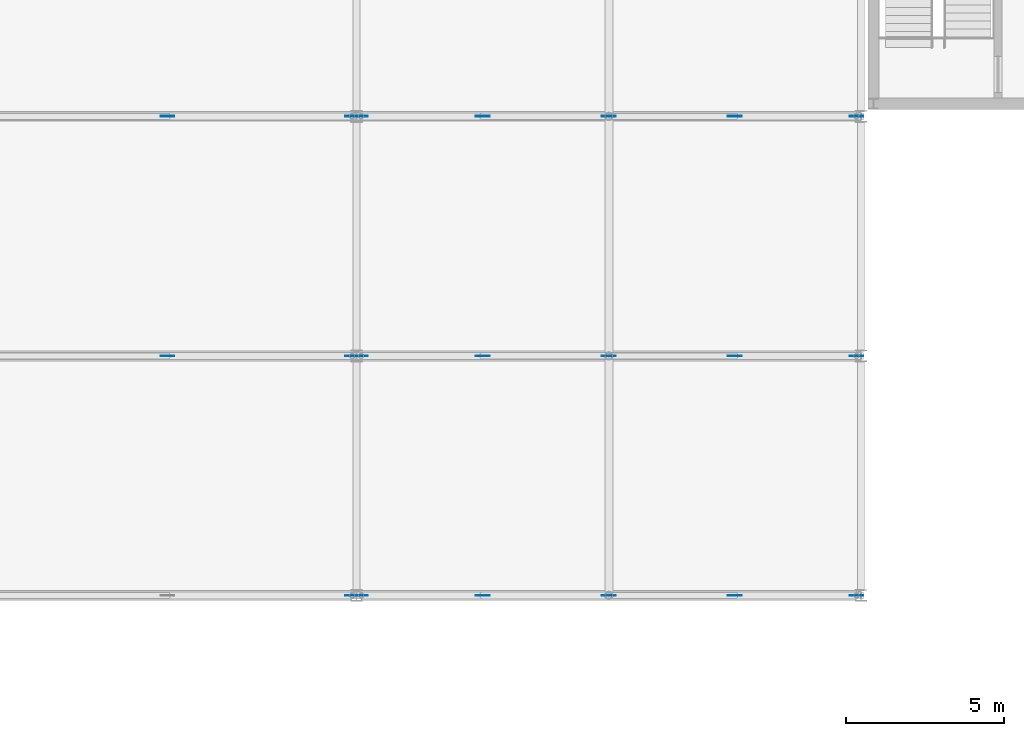
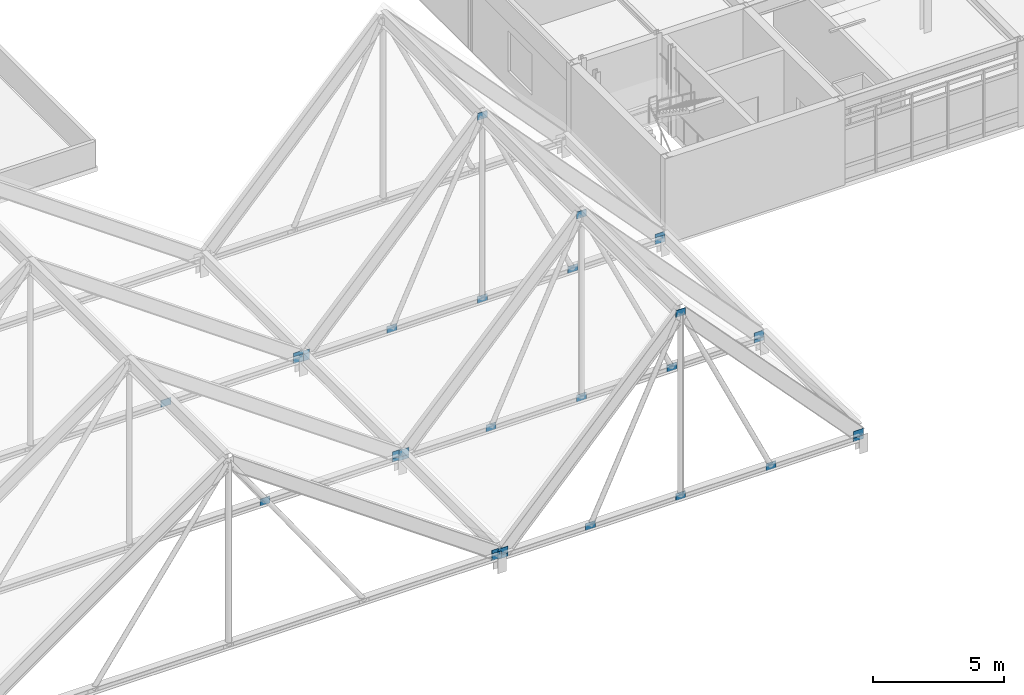
# One storey, part 66 of 85: 32 plates.
"""IFC4 building model written with IfcOpenShell, lengths in metres."""

from ifc_helpers import new_model, si_unit, direction, frame, origin, origin_2d, place, context, subcontext, project, spatial, rectangle, extrude, material, layer, layer_set, type_object, element, save


model = new_model("IFC4")

# Units and contexts
model_context = context("Model", 3, precision=1e-05, world=origin(), true_north=direction((0.0, 1.0)))
body_context = subcontext(model_context, "Body", "Model", "MODEL_VIEW")
ifc_project = project(units=[si_unit("LENGTHUNIT", "METRE"), si_unit("AREAUNIT", "SQUARE_METRE"), si_unit("VOLUMEUNIT", "CUBIC_METRE"), si_unit("PLANEANGLEUNIT", "RADIAN"), si_unit("MASSUNIT", "GRAM", prefix="KILO")], contexts=[model_context])

# Site, building, storey
site_placement = place(None, origin())
site = spatial("IfcSite", under=ifc_project, at=site_placement, CompositionType="ELEMENT")
building_placement = place(site_placement, origin())
building = spatial("IfcBuilding", under=site, at=building_placement, Name="Zulena Civic Courthouse", CompositionType="ELEMENT")
storey_placement = place(building_placement, frame((0.0, 0.0, 25.199951171875)))
storey = spatial("IfcBuildingStorey", under=building, at=storey_placement, Name="L05", CompositionType="ELEMENT", Elevation=25.199951171875)

# Plates
ifc_material = material(Name="Steel ASTM A572 Grade 50", Category="steel")
ifc_layer = layer(ifc_material, 0.02490234375)
ifc_layer_set = layer_set([ifc_layer], Name="Steel ASTM A572 Grade 50")
plate_type = type_object("IfcPlateType", Name="GussetPlate_440x320x25", PredefinedType="SHEET", material=ifc_layer_set)
for number, where, z_axis, x_axis, name in (
    (1, (107.860107421875, 15.199951171875, 0.37646484375), (0.0, 0.0, 1.0), (1.0, 0.0, 0.0), "plate:fd:postE:03:15.2:0"),
    (2, (107.860107421875, 15.199951171875, 0.53662109375), (0.0, 0.0, 1.0), (1.0, 0.0, 0.0), "plate:fd:postE:03:15.2:1"),
    (3, (107.860107421875, 22.800048828125, 0.37646484375), (0.0, 0.0, 1.0), (1.0, 0.0, 0.0), "plate:fd:postE:03:22.8:0"),
    (4, (107.860107421875, 22.800048828125, 0.53662109375), (0.0, 0.0, 1.0), (1.0, 0.0, 0.0), "plate:fd:postE:03:22.8:1"),
    (5, (102.0, 22.800048828125, 0.37646484375), (0.0, 0.0, 1.0), (1.0, 0.0, 0.0), "plate:fd:diagE:03:22.8:0"),
    (6, (107.860107421875, 30.39990234375, 0.37646484375), (0.0, 0.0, 1.0), (1.0, 0.0, 0.0), "plate:fd:postE:03:30.4:0"),
    (7, (107.860107421875, 30.39990234375, 0.53662109375), (0.0, 0.0, 1.0), (1.0, 0.0, 0.0), "plate:fd:postE:03:30.4:1"),
    (8, (102.0, 30.39990234375, 0.37646484375), (0.0, 0.0, 1.0), (1.0, 0.0, 0.0), "plate:fd:diagE:03:30.4:0"),
    (9, (108.139892578125, 15.199951171875, 0.33642578125), (0.0, 0.0, 1.0), (1.0, 0.0, 0.0), "plate:fd:postW:04:15.2:0"),
    (10, (108.139892578125, 15.199951171875, 0.49609375), (0.0, 0.0, 1.0), (1.0, 0.0, 0.0), "plate:fd:postW:04:15.2:1"),
    (11, (123.860107421875, 15.199951171875, 0.33642578125), (0.0, 0.0, 1.0), (1.0, 0.0, 0.0), "plate:fd:postE:04:15.2:0"),
    (12, (123.860107421875, 15.199951171875, 0.49609375), (0.0, 0.0, 1.0), (1.0, 0.0, 0.0), "plate:fd:postE:04:15.2:1"),
    (13, (116.0, 15.199951171875, 0.33642578125), (0.0, 0.0, 1.0), (1.0, 0.0, 0.0), "plate:fd:king:04:15.2:0"),
    (14, (116.0, 15.199951171875, 8.896484375), (0.0, 0.0, 1.0), (1.0, 0.0, 0.0), "plate:fd:king:04:15.2:1"),
    (15, (112.0, 15.199951171875, 0.33642578125), (0.0, 0.0, 1.0), (1.0, 0.0, 0.0), "plate:fd:diagW:04:15.2:0"),
    (16, (120.0, 15.199951171875, 0.33642578125), (0.0, 0.0, 1.0), (1.0, 0.0, 0.0), "plate:fd:diagE:04:15.2:0"),
    (17, (108.139892578125, 22.800048828125, 0.33642578125), (0.0, 0.0, 1.0), (1.0, 0.0, 0.0), "plate:fd:postW:04:22.8:0"),
    (18, (108.139892578125, 22.800048828125, 0.49609375), (0.0, 0.0, 1.0), (1.0, 0.0, 0.0), "plate:fd:postW:04:22.8:1"),
    (19, (123.860107421875, 22.800048828125, 0.33642578125), (0.0, 0.0, 1.0), (1.0, 0.0, 0.0), "plate:fd:postE:04:22.8:0"),
    (20, (123.860107421875, 22.800048828125, 0.49609375), (0.0, 0.0, 1.0), (1.0, 0.0, 0.0), "plate:fd:postE:04:22.8:1"),
    (21, (116.0, 22.800048828125, 0.33642578125), (0.0, 0.0, 1.0), (1.0, 0.0, 0.0), "plate:fd:king:04:22.8:0"),
    (22, (116.0, 22.800048828125, 8.896484375), (0.0, 0.0, 1.0), (1.0, 0.0, 0.0), "plate:fd:king:04:22.8:1"),
    (23, (112.0, 22.800048828125, 0.33642578125), (0.0, 0.0, 1.0), (1.0, 0.0, 0.0), "plate:fd:diagW:04:22.8:0"),
    (24, (120.0, 22.800048828125, 0.33642578125), (0.0, 0.0, 1.0), (1.0, 0.0, 0.0), "plate:fd:diagE:04:22.8:0"),
    (25, (108.139892578125, 30.39990234375, 0.33642578125), (0.0, 0.0, 1.0), (1.0, 0.0, 0.0), "plate:fd:postW:04:30.4:0"),
    (26, (108.139892578125, 30.39990234375, 0.49609375), (0.0, 0.0, 1.0), (1.0, 0.0, 0.0), "plate:fd:postW:04:30.4:1"),
    (27, (123.860107421875, 30.39990234375, 0.33642578125), (0.0, 0.0, 1.0), (1.0, 0.0, 0.0), "plate:fd:postE:04:30.4:0"),
    (28, (123.860107421875, 30.39990234375, 0.49609375), (0.0, 0.0, 1.0), (1.0, 0.0, 0.0), "plate:fd:postE:04:30.4:1"),
    (29, (116.0, 30.39990234375, 0.33642578125), (0.0, 0.0, 1.0), (1.0, 0.0, 0.0), "plate:fd:king:04:30.4:0"),
    (30, (116.0, 30.39990234375, 8.896484375), (0.0, 0.0, 1.0), (1.0, 0.0, 0.0), "plate:fd:king:04:30.4:1"),
    (31, (112.0, 30.39990234375, 0.33642578125), (0.0, 0.0, 1.0), (1.0, 0.0, 0.0), "plate:fd:diagW:04:30.4:0"),
    (32, (120.0, 30.39990234375, 0.33642578125), (0.0, 0.0, 1.0), (1.0, 0.0, 0.0), "plate:fd:diagE:04:30.4:0"),
):
    element("IfcPlate", number, at=place(storey_placement, frame(where, z_axis=z_axis, x_axis=x_axis)), inside=storey, type_object=plate_type, Name=name, PredefinedType="SHEET", context=body_context, shape_type="SweptSolid", body=[
        extrude(rectangle(XDim=0.43994140625, YDim=0.02490234375, at=origin_2d()), origin(), (0.0, 0.0, 1.0), 0.320068359375),
    ])

save(model, "model.ifc")
